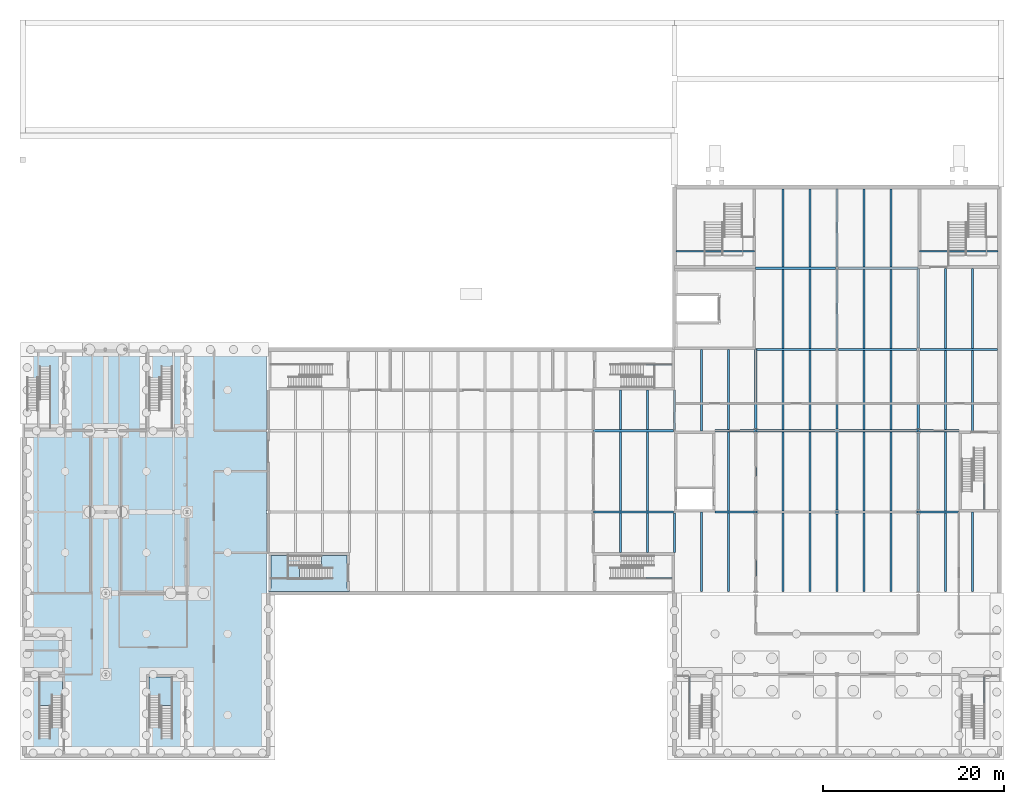
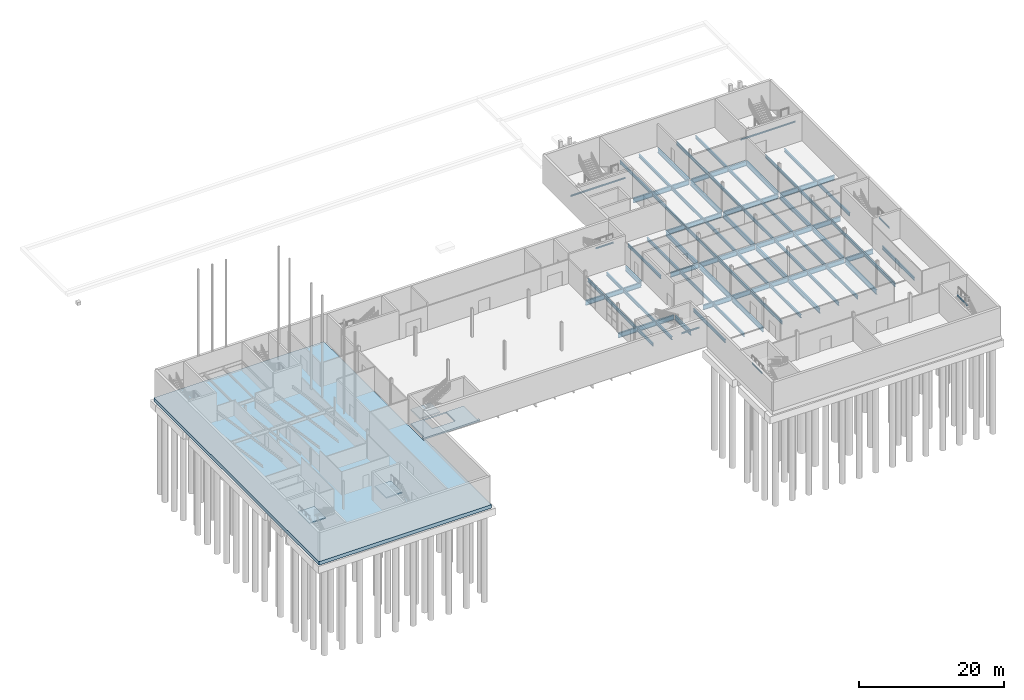
# One storey, part 13 of 31: 74 beams, 5 slabs, 3 elements without a shape of their own.
"""IFC4 building model written with IfcOpenShell, lengths in metres."""

from ifc_helpers import new_model, si_unit, direction, frame, origin, origin_2d, place, context, subcontext, project, spatial, polyline, i_section, outline, extrude, material, layer, layer_set, material_profile, profile_set, type_object, element, aggregate, save


model = new_model("IFC4")

# Units and contexts
model_context = context("Model", 3, precision=1e-05, world=origin(), true_north=direction((0.0, 1.0)))
body_context = subcontext(model_context, "Body", "Model", "MODEL_VIEW")
ifc_project = project(units=[si_unit("LENGTHUNIT", "METRE"), si_unit("AREAUNIT", "SQUARE_METRE"), si_unit("VOLUMEUNIT", "CUBIC_METRE"), si_unit("PLANEANGLEUNIT", "RADIAN"), si_unit("MASSUNIT", "GRAM", prefix="KILO")], contexts=[model_context])

# Site, building, storey
site_placement = place(None, origin())
site = spatial("IfcSite", under=ifc_project, at=site_placement, CompositionType="ELEMENT")
building_placement = place(site_placement, origin())
building = spatial("IfcBuilding", under=site, at=building_placement, Name="Halyard Row Museum", CompositionType="ELEMENT")
storey_placement = place(building_placement, frame((0.0, 0.0, -4.800048828125)))
storey = spatial("IfcBuildingStorey", under=building, at=storey_placement, Name="B1", CompositionType="ELEMENT", Elevation=-4.800048828125)

# Beams
ifc_material_1 = material(Name="Steel Grade 300", Category="steel")
ifc_material_profile_1 = material_profile(ifc_material_1, i_section(OverallWidth=0.25, OverallDepth=0.7919921875, WebThickness=0.010009765625, FlangeThickness=0.01611328125, at=origin_2d()), Name="800WB122")
ifc_profile_set_1 = profile_set([ifc_material_profile_1], Name="Steel Grade 300")
beam_type_1 = type_object("IfcBeamType", Name="Girder beam 800WB122 (lowered 85)", PredefinedType="BEAM", material=ifc_profile_set_1)
beam_1_placement = place(storey_placement, frame((63.012451171875, 27.0, -0.64599609375), z_axis=(1.0, 0.0, 0.0), x_axis=(0.0, 1.0, 0.0)))
element("IfcBeam", 1, at=beam_1_placement, inside=storey, type_object=beam_type_1, Name="Beam B1-005", PredefinedType="BEAM", context=body_context, shape_type="SweptSolid", body=[
    extrude(i_section(OverallWidth=0.25, OverallDepth=0.7919921875, WebThickness=0.010009765625, FlangeThickness=0.01611328125, at=origin_2d()), origin(), (0.0, 0.0, 1.0), 8.860595703125),
])
beam_2_placement = place(storey_placement, frame((76.5, 27.0, -0.64599609375), z_axis=(1.0, 0.0, 0.0), x_axis=(0.0, 1.0, 0.0)))
element("IfcBeam", 2, at=beam_2_placement, inside=storey, type_object=beam_type_1, Name="Beam B1-006", PredefinedType="BEAM", context=body_context, shape_type="SweptSolid", body=[
    extrude(i_section(OverallWidth=0.25, OverallDepth=0.7919921875, WebThickness=0.010009765625, FlangeThickness=0.01611328125, at=origin_2d()), origin(), (0.0, 0.0, 1.0), 4.487548828125),
])
for number, where, z_axis, x_axis, name in (
    (3, (81.012451171875, 27.0, -0.64599609375), (1.0, 0.0, 0.0), (0.0, 1.0, 0.0), "Beam B1-007"),
    (4, (90.012451171875, 27.0, -0.64599609375), (1.0, 0.0, 0.0), (0.0, 1.0, 0.0), "Beam B1-008"),
):
    element("IfcBeam", number, at=place(storey_placement, frame(where, z_axis=z_axis, x_axis=x_axis)), inside=storey, type_object=beam_type_1, Name=name, PredefinedType="BEAM", context=body_context, shape_type="SweptSolid", body=[
        extrude(i_section(OverallWidth=0.25, OverallDepth=0.7919921875, WebThickness=0.010009765625, FlangeThickness=0.01611328125, at=origin_2d()), origin(), (0.0, 0.0, 1.0), 8.97509765625),
    ])
beam_3_placement = place(storey_placement, frame((99.012451171875, 27.0, -0.64599609375), z_axis=(1.0, 0.0, 0.0), x_axis=(0.0, 1.0, 0.0)))
element("IfcBeam", 5, at=beam_3_placement, inside=storey, type_object=beam_type_1, Name="Beam B1-009", PredefinedType="BEAM", context=body_context, shape_type="SweptSolid", body=[
    extrude(i_section(OverallWidth=0.25, OverallDepth=0.7919921875, WebThickness=0.010009765625, FlangeThickness=0.01611328125, at=origin_2d()), origin(), (0.0, 0.0, 1.0), 4.487548828125),
])
beam_4_placement = place(storey_placement, frame((63.012451171875, 36.0, -0.64599609375), z_axis=(1.0, 0.0, 0.0), x_axis=(0.0, 1.0, 0.0)))
element("IfcBeam", 6, at=beam_4_placement, inside=storey, type_object=beam_type_1, Name="Beam B1-014", PredefinedType="BEAM", context=body_context, shape_type="SweptSolid", body=[
    extrude(i_section(OverallWidth=0.25, OverallDepth=0.7919921875, WebThickness=0.010009765625, FlangeThickness=0.01611328125, at=origin_2d()), origin(), (0.0, 0.0, 1.0), 8.860595703125),
])
beam_5_placement = place(storey_placement, frame((76.5, 36.0, -0.64599609375), z_axis=(1.0, 0.0, 0.0), x_axis=(0.0, 1.0, 0.0)))
element("IfcBeam", 7, at=beam_5_placement, inside=storey, type_object=beam_type_1, Name="Beam B1-015", PredefinedType="BEAM", context=body_context, shape_type="SweptSolid", body=[
    extrude(i_section(OverallWidth=0.25, OverallDepth=0.7919921875, WebThickness=0.010009765625, FlangeThickness=0.01611328125, at=origin_2d()), origin(), (0.0, 0.0, 1.0), 4.487548828125),
])
for number, where, z_axis, x_axis, name in (
    (8, (81.012451171875, 36.0, -0.64599609375), (1.0, 0.0, 0.0), (0.0, 1.0, 0.0), "Beam B1-016"),
    (9, (90.012451171875, 36.0, -0.64599609375), (1.0, 0.0, 0.0), (0.0, 1.0, 0.0), "Beam B1-017"),
):
    element("IfcBeam", number, at=place(storey_placement, frame(where, z_axis=z_axis, x_axis=x_axis)), inside=storey, type_object=beam_type_1, Name=name, PredefinedType="BEAM", context=body_context, shape_type="SweptSolid", body=[
        extrude(i_section(OverallWidth=0.25, OverallDepth=0.7919921875, WebThickness=0.010009765625, FlangeThickness=0.01611328125, at=origin_2d()), origin(), (0.0, 0.0, 1.0), 8.97509765625),
    ])
beam_6_placement = place(storey_placement, frame((99.012451171875, 36.0, -0.64599609375), z_axis=(1.0, 0.0, 0.0), x_axis=(0.0, 1.0, 0.0)))
element("IfcBeam", 10, at=beam_6_placement, inside=storey, type_object=beam_type_1, Name="Beam B1-018", PredefinedType="BEAM", context=body_context, shape_type="SweptSolid", body=[
    extrude(i_section(OverallWidth=0.25, OverallDepth=0.7919921875, WebThickness=0.010009765625, FlangeThickness=0.01611328125, at=origin_2d()), origin(), (0.0, 0.0, 1.0), 4.487548828125),
])
beam_7_placement = place(storey_placement, frame((81.0, 45.0, -0.64599609375), z_axis=(1.0, 0.0, 0.0), x_axis=(0.0, 1.0, 0.0)))
element("IfcBeam", 11, at=beam_7_placement, inside=storey, type_object=beam_type_1, Name="Beam B1-019", PredefinedType="BEAM", context=body_context, shape_type="SweptSolid", body=[
    extrude(i_section(OverallWidth=0.25, OverallDepth=0.7919921875, WebThickness=0.010009765625, FlangeThickness=0.01611328125, at=origin_2d()), origin(), (0.0, 0.0, 1.0), 8.824951171875),
])
beam_8_placement = place(storey_placement, frame((90.175048828125, 45.0, -0.64599609375), z_axis=(1.0, 0.0, 0.0), x_axis=(0.0, 1.0, 0.0)))
element("IfcBeam", 12, at=beam_8_placement, inside=storey, type_object=beam_type_1, Name="Beam B1-020", PredefinedType="BEAM", context=body_context, shape_type="SweptSolid", body=[
    extrude(i_section(OverallWidth=0.25, OverallDepth=0.7919921875, WebThickness=0.010009765625, FlangeThickness=0.01611328125, at=origin_2d()), origin(), (0.0, 0.0, 1.0), 8.64990234375),
])
beam_9_placement = place(storey_placement, frame((99.175048828125, 45.0, -0.64599609375), z_axis=(1.0, 0.0, 0.0), x_axis=(0.0, 1.0, 0.0)))
element("IfcBeam", 13, at=beam_9_placement, inside=storey, type_object=beam_type_1, Name="Beam B1-021", PredefinedType="BEAM", context=body_context, shape_type="SweptSolid", body=[
    extrude(i_section(OverallWidth=0.25, OverallDepth=0.7919921875, WebThickness=0.010009765625, FlangeThickness=0.01611328125, at=origin_2d()), origin(), (0.0, 0.0, 1.0), 8.625),
])
for number, where, z_axis, x_axis, name in (
    (14, (81.0, 54.0, -0.64599609375), (1.0, 0.0, 0.0), (0.0, 1.0, 0.0), "Beam B1-022"),
    (15, (90.155517578125, 54.0, -0.64599609375), (1.0, 0.0, 0.0), (0.0, 1.0, 0.0), "Beam B1-023"),
):
    element("IfcBeam", number, at=place(storey_placement, frame(where, z_axis=z_axis, x_axis=x_axis)), inside=storey, type_object=beam_type_1, Name=name, PredefinedType="BEAM", context=body_context, shape_type="SweptSolid", body=[
        extrude(i_section(OverallWidth=0.25, OverallDepth=0.7919921875, WebThickness=0.010009765625, FlangeThickness=0.01611328125, at=origin_2d()), origin(), (0.0, 0.0, 1.0), 8.844482421875),
    ])
for number, where, z_axis, x_axis, name in (
    (16, (72.0, 22.5, -0.64599609375), (0.0, 1.0, 0.0), (-1.0, 0.0, 0.0), "Beam B1-036"),
    (17, (72.0, 36.126953125, -0.64599609375), (0.0, 1.0, 0.0), (-1.0, 0.0, 0.0), "Beam B1-037"),
):
    element("IfcBeam", number, at=place(storey_placement, frame(where, z_axis=z_axis, x_axis=x_axis)), inside=storey, type_object=beam_type_1, Name=name, PredefinedType="BEAM", context=body_context, shape_type="SweptSolid", body=[
        extrude(i_section(OverallWidth=0.25, OverallDepth=0.7919921875, WebThickness=0.010009765625, FlangeThickness=0.01611328125, at=origin_2d()), origin(), (0.0, 0.0, 1.0), 4.373046875),
    ])
beam_10_placement = place(storey_placement, frame((81.0, 18.199951171875, -0.64599609375), z_axis=(0.0, 1.0, 0.0), x_axis=(-1.0, 0.0, 0.0)))
element("IfcBeam", 18, at=beam_10_placement, inside=storey, type_object=beam_type_1, Name="Beam B1-038", PredefinedType="BEAM", context=body_context, shape_type="SweptSolid", body=[
    extrude(i_section(OverallWidth=0.25, OverallDepth=0.7919921875, WebThickness=0.010009765625, FlangeThickness=0.01611328125, at=origin_2d()), origin(), (0.0, 0.0, 1.0), 8.54296875),
])
beam_11_placement = place(storey_placement, frame((81.0, 27.257080078125, -0.64599609375), z_axis=(0.0, 1.0, 0.0), x_axis=(-1.0, 0.0, 0.0)))
element("IfcBeam", 19, at=beam_11_placement, inside=storey, type_object=beam_type_1, Name="Beam B1-039", PredefinedType="BEAM", context=body_context, shape_type="SweptSolid", body=[
    extrude(i_section(OverallWidth=0.25, OverallDepth=0.7919921875, WebThickness=0.010009765625, FlangeThickness=0.01611328125, at=origin_2d()), origin(), (0.0, 0.0, 1.0), 8.48583984375),
])
beam_12_placement = place(storey_placement, frame((81.0, 36.257080078125, -0.64599609375), z_axis=(0.0, 1.0, 0.0), x_axis=(-1.0, 0.0, 0.0)))
element("IfcBeam", 20, at=beam_12_placement, inside=storey, type_object=beam_type_1, Name="Beam B1-040", PredefinedType="BEAM", context=body_context, shape_type="SweptSolid", body=[
    extrude(i_section(OverallWidth=0.25, OverallDepth=0.7919921875, WebThickness=0.010009765625, FlangeThickness=0.01611328125, at=origin_2d()), origin(), (0.0, 0.0, 1.0), 8.742919921875),
])
beam_13_placement = place(storey_placement, frame((90.0, 18.199951171875, -0.64599609375), z_axis=(0.0, 1.0, 0.0), x_axis=(-1.0, 0.0, 0.0)))
element("IfcBeam", 21, at=beam_13_placement, inside=storey, type_object=beam_type_1, Name="Beam B1-041", PredefinedType="BEAM", context=body_context, shape_type="SweptSolid", body=[
    extrude(i_section(OverallWidth=0.25, OverallDepth=0.7919921875, WebThickness=0.010009765625, FlangeThickness=0.01611328125, at=origin_2d()), origin(), (0.0, 0.0, 1.0), 8.593017578125),
])
beam_14_placement = place(storey_placement, frame((90.0, 27.20703125, -0.64599609375), z_axis=(0.0, 1.0, 0.0), x_axis=(-1.0, 0.0, 0.0)))
element("IfcBeam", 22, at=beam_14_placement, inside=storey, type_object=beam_type_1, Name="Beam B1-042", PredefinedType="BEAM", context=body_context, shape_type="SweptSolid", body=[
    extrude(i_section(OverallWidth=0.25, OverallDepth=0.7919921875, WebThickness=0.010009765625, FlangeThickness=0.01611328125, at=origin_2d()), origin(), (0.0, 0.0, 1.0), 8.5859375),
])
beam_15_placement = place(storey_placement, frame((90.0, 36.20703125, -0.64599609375), z_axis=(0.0, 1.0, 0.0), x_axis=(-1.0, 0.0, 0.0)))
element("IfcBeam", 23, at=beam_15_placement, inside=storey, type_object=beam_type_1, Name="Beam B1-043", PredefinedType="BEAM", context=body_context, shape_type="SweptSolid", body=[
    extrude(i_section(OverallWidth=0.25, OverallDepth=0.7919921875, WebThickness=0.010009765625, FlangeThickness=0.01611328125, at=origin_2d()), origin(), (0.0, 0.0, 1.0), 8.62353515625),
])
beam_16_placement = place(storey_placement, frame((90.0, 45.16943359375, -0.64599609375), z_axis=(0.0, 1.0, 0.0), x_axis=(-1.0, 0.0, 0.0)))
element("IfcBeam", 24, at=beam_16_placement, inside=storey, type_object=beam_type_1, Name="Beam B1-044", PredefinedType="BEAM", context=body_context, shape_type="SweptSolid", body=[
    extrude(i_section(OverallWidth=0.25, OverallDepth=0.7919921875, WebThickness=0.010009765625, FlangeThickness=0.01611328125, at=origin_2d()), origin(), (0.0, 0.0, 1.0), 8.6669921875),
])
beam_17_placement = place(storey_placement, frame((90.0, 54.16357421875, -0.64599609375), z_axis=(0.0, 1.0, 0.0), x_axis=(-1.0, 0.0, 0.0)))
element("IfcBeam", 25, at=beam_17_placement, inside=storey, type_object=beam_type_1, Name="Beam B1-045", PredefinedType="BEAM", context=body_context, shape_type="SweptSolid", body=[
    extrude(i_section(OverallWidth=0.25, OverallDepth=0.7919921875, WebThickness=0.010009765625, FlangeThickness=0.01611328125, at=origin_2d()), origin(), (0.0, 0.0, 1.0), 8.636474609375),
])
beam_18_placement = place(storey_placement, frame((99.0, 18.199951171875, -0.64599609375), z_axis=(0.0, 1.0, 0.0), x_axis=(-1.0, 0.0, 0.0)))
element("IfcBeam", 26, at=beam_18_placement, inside=storey, type_object=beam_type_1, Name="Beam B1-046", PredefinedType="BEAM", context=body_context, shape_type="SweptSolid", body=[
    extrude(i_section(OverallWidth=0.25, OverallDepth=0.7919921875, WebThickness=0.010009765625, FlangeThickness=0.01611328125, at=origin_2d()), origin(), (0.0, 0.0, 1.0), 8.54296875),
])
beam_19_placement = place(storey_placement, frame((99.0, 27.257080078125, -0.64599609375), z_axis=(0.0, 1.0, 0.0), x_axis=(-1.0, 0.0, 0.0)))
element("IfcBeam", 27, at=beam_19_placement, inside=storey, type_object=beam_type_1, Name="Beam B1-047", PredefinedType="BEAM", context=body_context, shape_type="SweptSolid", body=[
    extrude(i_section(OverallWidth=0.25, OverallDepth=0.7919921875, WebThickness=0.010009765625, FlangeThickness=0.01611328125, at=origin_2d()), origin(), (0.0, 0.0, 1.0), 8.48583984375),
])
beam_20_placement = place(storey_placement, frame((99.0, 36.257080078125, -0.64599609375), z_axis=(0.0, 1.0, 0.0), x_axis=(-1.0, 0.0, 0.0)))
element("IfcBeam", 28, at=beam_20_placement, inside=storey, type_object=beam_type_1, Name="Beam B1-048", PredefinedType="BEAM", context=body_context, shape_type="SweptSolid", body=[
    extrude(i_section(OverallWidth=0.25, OverallDepth=0.7919921875, WebThickness=0.010009765625, FlangeThickness=0.01611328125, at=origin_2d()), origin(), (0.0, 0.0, 1.0), 8.573486328125),
])
beam_21_placement = place(storey_placement, frame((99.0, 45.16943359375, -0.64599609375), z_axis=(0.0, 1.0, 0.0), x_axis=(-1.0, 0.0, 0.0)))
element("IfcBeam", 29, at=beam_21_placement, inside=storey, type_object=beam_type_1, Name="Beam B1-049", PredefinedType="BEAM", context=body_context, shape_type="SweptSolid", body=[
    extrude(i_section(OverallWidth=0.25, OverallDepth=0.7919921875, WebThickness=0.010009765625, FlangeThickness=0.01611328125, at=origin_2d()), origin(), (0.0, 0.0, 1.0), 8.83056640625),
])
ifc_material_2 = material(Name="Steel Grade 300", Category="steel")
ifc_material_profile_2 = material_profile(ifc_material_2, i_section(OverallWidth=0.1240234375, OverallDepth=0.248046875, WebThickness=0.0048828125, FlangeThickness=0.008056640625, FilletRadius=0.011962890625, at=origin_2d()), Name="250UB25.7")
ifc_profile_set_2 = profile_set([ifc_material_profile_2], Name="Steel Grade 300")
beam_type_2 = type_object("IfcBeamType", Name="Landing trimmer 250UB25.7", PredefinedType="BEAM", material=ifc_profile_set_2)
for number, where, z_axis, x_axis, name in (
    (30, (71.702880859375, 43.278076171875, 2.075927734375), (-1.0, 0.0, 0.0), (0.0, -1.0, 0.0), "Landing ledger K1B B1 1"),
    (31, (71.702880859375, 19.721923828125, 2.075927734375), (-1.0, 0.0, 0.0), (0.0, -1.0, 0.0), "Landing ledger K1C B1 1"),
    (32, (73.721923828125, 8.702880859375, 2.075927734375), (0.0, -1.0, 0.0), (1.0, 0.0, 0.0), "Landing ledger K2A B1 1"),
    (33, (106.278076171875, 8.702880859375, 2.075927734375), (0.0, -1.0, 0.0), (1.0, 0.0, 0.0), "Landing ledger K2B B1 1"),
    (34, (106.278076171875, 27.297119140625, 2.075927734375), (0.0, 1.0, 0.0), (-1.0, 0.0, 0.0), "Landing ledger K2C B1 1"),
):
    element("IfcBeam", number, at=place(storey_placement, frame(where, z_axis=z_axis, x_axis=x_axis)), inside=storey, type_object=beam_type_2, Name=name, PredefinedType="BEAM", context=body_context, shape_type="SweptSolid", body=[
        extrude(i_section(OverallWidth=0.1240234375, OverallDepth=0.248046875, WebThickness=0.0048828125, FlangeThickness=0.008056640625, FilletRadius=0.011962890625, at=origin_2d()), origin(), (0.0, 0.0, 1.0), 2.852783203125),
    ])
for number, where, z_axis, x_axis, name in (
    (35, (80.85009765625, 55.8798828125, 2.075927734375), (-1.0, 0.0, 0.0), (0.0, -1.0, 0.0), "Landing trimmer K5A B1 1"),
    (36, (107.85009765625, 55.8798828125, 2.075927734375), (-1.0, 0.0, 0.0), (0.0, -1.0, 0.0), "Landing trimmer K5B B1 1"),
):
    element("IfcBeam", number, at=place(storey_placement, frame(where, z_axis=z_axis, x_axis=x_axis)), inside=storey, type_object=beam_type_2, Name=name, PredefinedType="BEAM", context=body_context, shape_type="SweptSolid", body=[
        extrude(i_section(OverallWidth=0.1240234375, OverallDepth=0.248046875, WebThickness=0.0048828125, FlangeThickness=0.008056640625, FilletRadius=0.011962890625, at=origin_2d()), origin(), (0.0, 0.0, 1.0), 8.7001953125),
    ])
ifc_material_3 = material(Name="Steel Grade 300", Category="steel")
ifc_material_profile_3 = material_profile(ifc_material_3, i_section(OverallWidth=0.208984375, OverallDepth=0.5283203125, WebThickness=0.009521484375, FlangeThickness=0.01318359375, FilletRadius=0.013916015625, at=origin_2d()), Name="530UB82.0")
ifc_profile_set_3 = profile_set([ifc_material_profile_3], Name="Steel Grade 300")
beam_type_3 = type_object("IfcBeamType", Name="Secondary beam 530UB82.0 (lowered 85)", PredefinedType="BEAM", material=ifc_profile_set_3)
beam_22_placement = place(storey_placement, frame((75.0, 18.199951171875, -0.51416015625), z_axis=(0.0, 1.0, 0.0), x_axis=(-1.0, 0.0, 0.0)))
element("IfcBeam", 37, at=beam_22_placement, inside=storey, type_object=beam_type_3, Name="Beam B1-056", PredefinedType="BEAM", context=body_context, shape_type="SweptSolid", body=[
    extrude(i_section(OverallWidth=0.208984375, OverallDepth=0.5283203125, WebThickness=0.009521484375, FlangeThickness=0.01318359375, FilletRadius=0.013916015625, at=origin_2d()), origin(), (0.0, 0.0, 1.0), 8.800048828125),
])
for number, where, z_axis, x_axis, name in (
    (38, (78.0, 18.199951171875, -0.51416015625), (0.0, 1.0, 0.0), (-1.0, 0.0, 0.0), "Beam B1-057"),
    (39, (84.0, 18.199951171875, -0.51416015625), (0.0, 1.0, 0.0), (-1.0, 0.0, 0.0), "Beam B1-058"),
    (40, (87.0, 18.199951171875, -0.51416015625), (0.0, 1.0, 0.0), (-1.0, 0.0, 0.0), "Beam B1-059"),
    (41, (93.0, 18.199951171875, -0.51416015625), (0.0, 1.0, 0.0), (-1.0, 0.0, 0.0), "Beam B1-060"),
    (42, (96.0, 18.199951171875, -0.51416015625), (0.0, 1.0, 0.0), (-1.0, 0.0, 0.0), "Beam B1-061"),
    (43, (102.0, 18.199951171875, -0.51416015625), (0.0, 1.0, 0.0), (-1.0, 0.0, 0.0), "Beam B1-062"),
):
    element("IfcBeam", number, at=place(storey_placement, frame(where, z_axis=z_axis, x_axis=x_axis)), inside=storey, type_object=beam_type_3, Name=name, PredefinedType="BEAM", context=body_context, shape_type="SweptSolid", body=[
        extrude(i_section(OverallWidth=0.208984375, OverallDepth=0.5283203125, WebThickness=0.009521484375, FlangeThickness=0.01318359375, FilletRadius=0.013916015625, at=origin_2d()), origin(), (0.0, 0.0, 1.0), 8.675048828125),
    ])
beam_23_placement = place(storey_placement, frame((105.0, 18.199951171875, -0.51416015625), z_axis=(0.0, 1.0, 0.0), x_axis=(-1.0, 0.0, 0.0)))
element("IfcBeam", 44, at=beam_23_placement, inside=storey, type_object=beam_type_3, Name="Beam B1-063", PredefinedType="BEAM", context=body_context, shape_type="SweptSolid", body=[
    extrude(i_section(OverallWidth=0.208984375, OverallDepth=0.5283203125, WebThickness=0.009521484375, FlangeThickness=0.01318359375, FilletRadius=0.013916015625, at=origin_2d()), origin(), (0.0, 0.0, 1.0), 8.800048828125),
])
for number, where, z_axis, x_axis, name in (
    (45, (66.0, 22.5, -0.51416015625), (0.0, 1.0, 0.0), (-1.0, 0.0, 0.0), "Beam B1-066"),
    (46, (69.0, 22.5, -0.51416015625), (0.0, 1.0, 0.0), (-1.0, 0.0, 0.0), "Beam B1-067"),
):
    element("IfcBeam", number, at=place(storey_placement, frame(where, z_axis=z_axis, x_axis=x_axis)), inside=storey, type_object=beam_type_3, Name=name, PredefinedType="BEAM", context=body_context, shape_type="SweptSolid", body=[
        extrude(i_section(OverallWidth=0.208984375, OverallDepth=0.5283203125, WebThickness=0.009521484375, FlangeThickness=0.01318359375, FilletRadius=0.013916015625, at=origin_2d()), origin(), (0.0, 0.0, 1.0), 4.375),
    ])
for number, where, z_axis, x_axis, name in (
    (47, (66.0, 27.125, -0.51416015625), (0.0, 1.0, 0.0), (-1.0, 0.0, 0.0), "Beam B1-076"),
    (48, (69.0, 27.125, -0.51416015625), (0.0, 1.0, 0.0), (-1.0, 0.0, 0.0), "Beam B1-077"),
    (49, (78.0, 27.125, -0.51416015625), (0.0, 1.0, 0.0), (-1.0, 0.0, 0.0), "Beam B1-078"),
    (50, (84.0, 27.125, -0.51416015625), (0.0, 1.0, 0.0), (-1.0, 0.0, 0.0), "Beam B1-079"),
    (51, (87.0, 27.125, -0.51416015625), (0.0, 1.0, 0.0), (-1.0, 0.0, 0.0), "Beam B1-080"),
    (52, (93.0, 27.125, -0.51416015625), (0.0, 1.0, 0.0), (-1.0, 0.0, 0.0), "Beam B1-081"),
    (53, (96.0, 27.125, -0.51416015625), (0.0, 1.0, 0.0), (-1.0, 0.0, 0.0), "Beam B1-082"),
    (54, (102.0, 27.125, -0.51416015625), (0.0, 1.0, 0.0), (-1.0, 0.0, 0.0), "Beam B1-083"),
):
    element("IfcBeam", number, at=place(storey_placement, frame(where, z_axis=z_axis, x_axis=x_axis)), inside=storey, type_object=beam_type_3, Name=name, PredefinedType="BEAM", context=body_context, shape_type="SweptSolid", body=[
        extrude(i_section(OverallWidth=0.208984375, OverallDepth=0.5283203125, WebThickness=0.009521484375, FlangeThickness=0.01318359375, FilletRadius=0.013916015625, at=origin_2d()), origin(), (0.0, 0.0, 1.0), 8.75),
    ])
beam_24_placement = place(storey_placement, frame((75.0, 36.0, -0.51416015625), z_axis=(0.0, 1.0, 0.0), x_axis=(-1.0, 0.0, 0.0)))
element("IfcBeam", 55, at=beam_24_placement, inside=storey, type_object=beam_type_3, Name="Beam B1-084", PredefinedType="BEAM", context=body_context, shape_type="SweptSolid", body=[
    extrude(i_section(OverallWidth=0.208984375, OverallDepth=0.5283203125, WebThickness=0.009521484375, FlangeThickness=0.01318359375, FilletRadius=0.013916015625, at=origin_2d()), origin(), (0.0, 0.0, 1.0), 9.0),
])
beam_25_placement = place(storey_placement, frame((105.0, 36.0, -0.51416015625), z_axis=(0.0, 1.0, 0.0), x_axis=(-1.0, 0.0, 0.0)))
element("IfcBeam", 56, at=beam_25_placement, inside=storey, type_object=beam_type_3, Name="Beam B1-085", PredefinedType="BEAM", context=body_context, shape_type="SweptSolid", body=[
    extrude(i_section(OverallWidth=0.208984375, OverallDepth=0.5283203125, WebThickness=0.009521484375, FlangeThickness=0.01318359375, FilletRadius=0.013916015625, at=origin_2d()), origin(), (0.0, 0.0, 1.0), 8.875),
])
for number, where, z_axis, x_axis, name in (
    (57, (66.0, 36.125, -0.51416015625), (0.0, 1.0, 0.0), (-1.0, 0.0, 0.0), "Beam B1-094"),
    (58, (69.0, 36.125, -0.51416015625), (0.0, 1.0, 0.0), (-1.0, 0.0, 0.0), "Beam B1-095"),
):
    element("IfcBeam", number, at=place(storey_placement, frame(where, z_axis=z_axis, x_axis=x_axis)), inside=storey, type_object=beam_type_3, Name=name, PredefinedType="BEAM", context=body_context, shape_type="SweptSolid", body=[
        extrude(i_section(OverallWidth=0.208984375, OverallDepth=0.5283203125, WebThickness=0.009521484375, FlangeThickness=0.01318359375, FilletRadius=0.013916015625, at=origin_2d()), origin(), (0.0, 0.0, 1.0), 4.375),
    ])
beam_26_placement = place(storey_placement, frame((78.0, 36.125, -0.51416015625), z_axis=(0.0, 1.0, 0.0), x_axis=(-1.0, 0.0, 0.0)))
element("IfcBeam", 59, at=beam_26_placement, inside=storey, type_object=beam_type_3, Name="Beam B1-096", PredefinedType="BEAM", context=body_context, shape_type="SweptSolid", body=[
    extrude(i_section(OverallWidth=0.208984375, OverallDepth=0.5283203125, WebThickness=0.009521484375, FlangeThickness=0.01318359375, FilletRadius=0.013916015625, at=origin_2d()), origin(), (0.0, 0.0, 1.0), 8.875),
])
for number, where, z_axis, x_axis, name in (
    (60, (84.0, 36.125, -0.51416015625), (0.0, 1.0, 0.0), (-1.0, 0.0, 0.0), "Beam B1-097"),
    (61, (87.0, 36.125, -0.51416015625), (0.0, 1.0, 0.0), (-1.0, 0.0, 0.0), "Beam B1-098"),
    (62, (93.0, 36.125, -0.51416015625), (0.0, 1.0, 0.0), (-1.0, 0.0, 0.0), "Beam B1-099"),
    (63, (96.0, 36.125, -0.51416015625), (0.0, 1.0, 0.0), (-1.0, 0.0, 0.0), "Beam B1-100"),
    (64, (102.0, 36.125, -0.51416015625), (0.0, 1.0, 0.0), (-1.0, 0.0, 0.0), "Beam B1-101"),
    (65, (84.0, 45.125, -0.51416015625), (0.0, 1.0, 0.0), (-1.0, 0.0, 0.0), "Beam B1-102"),
    (66, (87.0, 45.125, -0.51416015625), (0.0, 1.0, 0.0), (-1.0, 0.0, 0.0), "Beam B1-103"),
    (67, (93.0, 45.125, -0.51416015625), (0.0, 1.0, 0.0), (-1.0, 0.0, 0.0), "Beam B1-104"),
    (68, (96.0, 45.125, -0.51416015625), (0.0, 1.0, 0.0), (-1.0, 0.0, 0.0), "Beam B1-105"),
):
    element("IfcBeam", number, at=place(storey_placement, frame(where, z_axis=z_axis, x_axis=x_axis)), inside=storey, type_object=beam_type_3, Name=name, PredefinedType="BEAM", context=body_context, shape_type="SweptSolid", body=[
        extrude(i_section(OverallWidth=0.208984375, OverallDepth=0.5283203125, WebThickness=0.009521484375, FlangeThickness=0.01318359375, FilletRadius=0.013916015625, at=origin_2d()), origin(), (0.0, 0.0, 1.0), 8.75),
    ])
for number, where, z_axis, x_axis, name in (
    (69, (102.0, 45.125, -0.51416015625), (0.0, 1.0, 0.0), (-1.0, 0.0, 0.0), "Beam B1-106"),
    (70, (105.0, 45.125, -0.51416015625), (0.0, 1.0, 0.0), (-1.0, 0.0, 0.0), "Beam B1-107"),
):
    element("IfcBeam", number, at=place(storey_placement, frame(where, z_axis=z_axis, x_axis=x_axis)), inside=storey, type_object=beam_type_3, Name=name, PredefinedType="BEAM", context=body_context, shape_type="SweptSolid", body=[
        extrude(i_section(OverallWidth=0.208984375, OverallDepth=0.5283203125, WebThickness=0.009521484375, FlangeThickness=0.01318359375, FilletRadius=0.013916015625, at=origin_2d()), origin(), (0.0, 0.0, 1.0), 8.875),
    ])
for number, where, z_axis, x_axis, name in (
    (71, (84.0, 54.125, -0.51416015625), (0.0, 1.0, 0.0), (-1.0, 0.0, 0.0), "Beam B1-108"),
    (72, (87.0, 54.125, -0.51416015625), (0.0, 1.0, 0.0), (-1.0, 0.0, 0.0), "Beam B1-109"),
    (73, (93.0, 54.125, -0.51416015625), (0.0, 1.0, 0.0), (-1.0, 0.0, 0.0), "Beam B1-110"),
    (74, (96.0, 54.125, -0.51416015625), (0.0, 1.0, 0.0), (-1.0, 0.0, 0.0), "Beam B1-111"),
):
    element("IfcBeam", number, at=place(storey_placement, frame(where, z_axis=z_axis, x_axis=x_axis)), inside=storey, type_object=beam_type_3, Name=name, PredefinedType="BEAM", context=body_context, shape_type="SweptSolid", body=[
        extrude(i_section(OverallWidth=0.208984375, OverallDepth=0.5283203125, WebThickness=0.009521484375, FlangeThickness=0.01318359375, FilletRadius=0.013916015625, at=origin_2d()), origin(), (0.0, 0.0, 1.0), 8.675048828125),
    ])

# Slab
ifc_material_4 = material(Name="Concrete 40 MPa", Category="concrete")
ifc_layer_1 = layer(ifc_material_4, 0.25)
ifc_layer_set_1 = layer_set([ifc_layer_1], Name="Concrete 40 MPa")
slab_type_1 = type_object("IfcSlabType", Name="Core floor slab 250", PredefinedType="FLOOR", material=ifc_layer_set_1)
slab_1_placement = place(storey_placement, frame((0.0, 0.0, -0.25)))
element("IfcSlab", 75, at=slab_1_placement, inside=storey, type_object=slab_type_1, Name="Core floor K1D B1", PredefinedType="FLOOR", context=body_context, shape_type="SweptSolid", body=[
    extrude(outline(polyline([(27.0048828125, 18.199951171875), (35.9951171875, 18.199951171875), (35.9951171875, 18.550048828125), (35.699951171875, 18.550048828125), (35.699951171875, 22.199951171875), (27.300048828125, 22.199951171875), (27.300048828125, 18.550048828125), (27.0048828125, 18.550048828125), (27.0048828125, 18.199951171875)]), holes=[polyline([(29.262939453125, 19.653076171875), (29.262939453125, 22.197021484375), (32.89697265625, 22.197021484375), (32.89697265625, 19.653076171875), (29.262939453125, 19.653076171875)])]), origin(), (0.0, 0.0, 1.0), 0.25),
])

# Stair, slab
ifc_material_5 = material(Name="Concrete 40 MPa", Category="concrete")
stair_type = type_object("IfcStairType", Name="Exit stair two flights 1200", PredefinedType="HALF_TURN_STAIR", material=ifc_material_5)
stair_1_placement = place(storey_placement, origin())
stair_1 = element("IfcStair", 76, at=stair_1_placement, inside=storey, type_object=stair_type, Name="Exit stair K1D B1", PredefinedType="HALF_TURN_STAIR")
ifc_material_6 = material(Name="Concrete 40 MPa", Category="concrete")
ifc_layer_2 = layer(ifc_material_6, 0.199951171875)
ifc_layer_set_2 = layer_set([ifc_layer_2], Name="Concrete 40 MPa")
slab_type_2 = type_object("IfcSlabType", Name="Exit stair landing 200", PredefinedType="LANDING", material=ifc_layer_set_2)
slab_2_placement = place(storey_placement, frame((0.0, 0.0, 2.199951171875)))
slab_2 = element("IfcSlab", 77, at=slab_2_placement, type_object=slab_type_2, Name="STK1D-B1 landing 1", PredefinedType="LANDING", context=body_context, shape_type="SweptSolid", body=[
    extrude(outline(polyline([(30.4599609375, 19.64990234375), (30.4599609375, 22.199951171875), (27.300048828125, 22.199951171875), (27.300048828125, 19.64990234375), (30.4599609375, 19.64990234375)])), origin(), (0.0, 0.0, 1.0), 0.2001953125),
])
aggregate(stair_1, [slab_2])

stair_2_placement = place(storey_placement, origin())
stair_2 = element("IfcStair", 78, at=stair_2_placement, inside=storey, type_object=stair_type, Name="Exit stair K3E B1", PredefinedType="HALF_TURN_STAIR")
slab_3_placement = place(storey_placement, frame((0.0, 0.0, 2.199951171875)))
slab_3 = element("IfcSlab", 79, at=slab_3_placement, type_object=slab_type_2, Name="STK3E-B1 landing 1", PredefinedType="LANDING", context=body_context, shape_type="SweptSolid", body=[
    extrude(outline(polyline([(16.35009765625, 5.5400390625), (13.800048828125, 5.5400390625), (13.800048828125, 8.699951171875), (16.35009765625, 8.699951171875), (16.35009765625, 5.5400390625)])), origin(), (0.0, 0.0, 1.0), 0.2001953125),
])
aggregate(stair_2, [slab_3])

stair_3_placement = place(storey_placement, origin())
stair_3 = element("IfcStair", 80, at=stair_3_placement, inside=storey, type_object=stair_type, Name="Exit stair K3S B1", PredefinedType="HALF_TURN_STAIR")
slab_4_placement = place(storey_placement, frame((0.0, 0.0, 2.199951171875)))
slab_4 = element("IfcSlab", 81, at=slab_4_placement, type_object=slab_type_2, Name="STK3S-B1 landing 1", PredefinedType="LANDING", context=body_context, shape_type="SweptSolid", body=[
    extrude(outline(polyline([(1.64990234375, 5.5400390625), (4.199951171875, 5.5400390625), (4.199951171875, 8.699951171875), (1.64990234375, 8.699951171875), (1.64990234375, 5.5400390625)])), origin(), (0.0, 0.0, 1.0), 0.2001953125),
])
aggregate(stair_3, [slab_4])

# Slab
ifc_material_7 = material(Name="Concrete 40 MPa", Category="concrete")
ifc_layer_3 = layer(ifc_material_7, 0.60009765625)
ifc_layer_set_3 = layer_set([ifc_layer_3], Name="Concrete 40 MPa")
slab_type_3 = type_object("IfcSlabType", Name="Raft slab", PredefinedType="BASESLAB", material=ifc_layer_set_3)
slab_5_placement = place(storey_placement, frame((0.0, 0.0, -0.599853515625)))
element("IfcSlab", 82, at=slab_5_placement, inside=storey, type_object=slab_type_3, Name="Raft slab B1-01", PredefinedType="BASESLAB", context=body_context, shape_type="SweptSolid", body=[
    extrude(outline(polyline([(-0.199951171875, -0.199951171875), (27.199951171875, -0.199951171875), (27.199951171875, 17.800048828125), (26.800048828125, 17.800048828125), (26.800048828125, 45.199951171875), (-0.199951171875, 45.199951171875), (-0.199951171875, -0.199951171875)])), origin(), (0.0, 0.0, 1.0), 0.599853515625),
])

save(model, "model.ifc")
